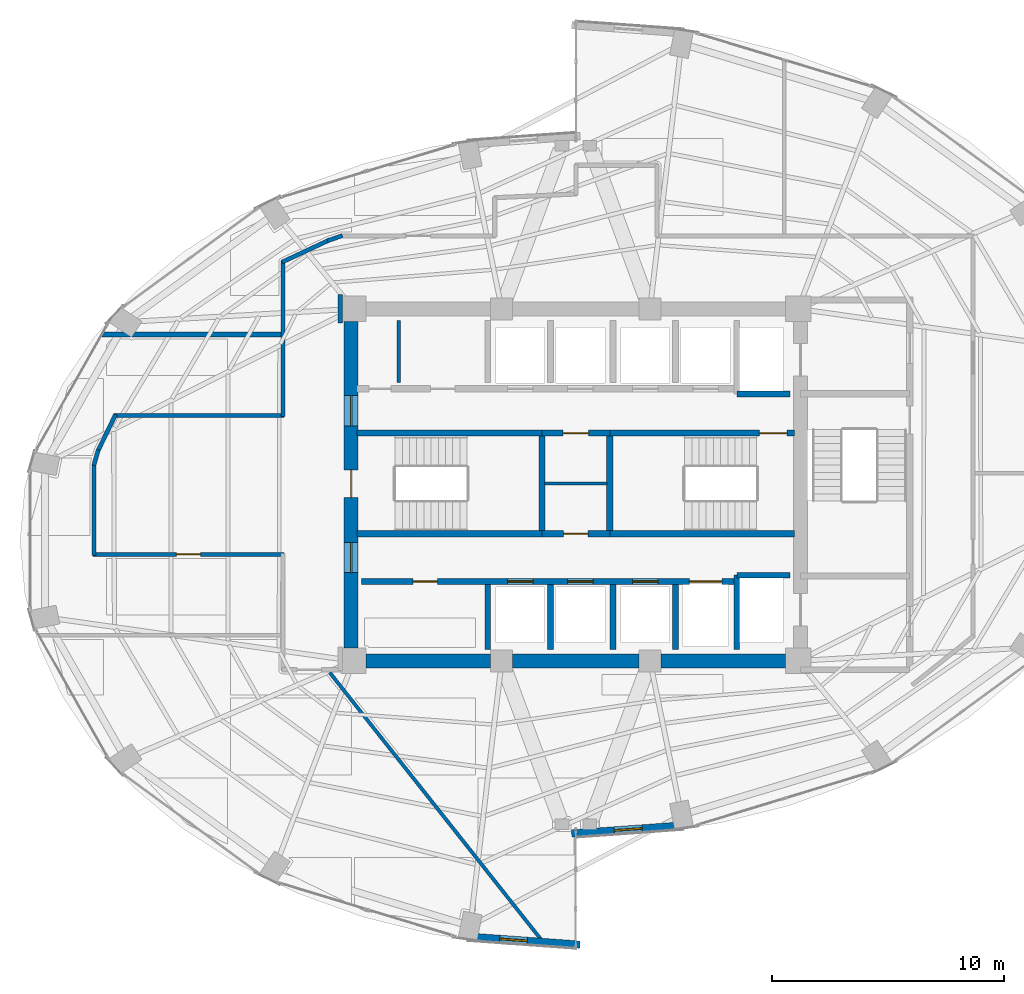
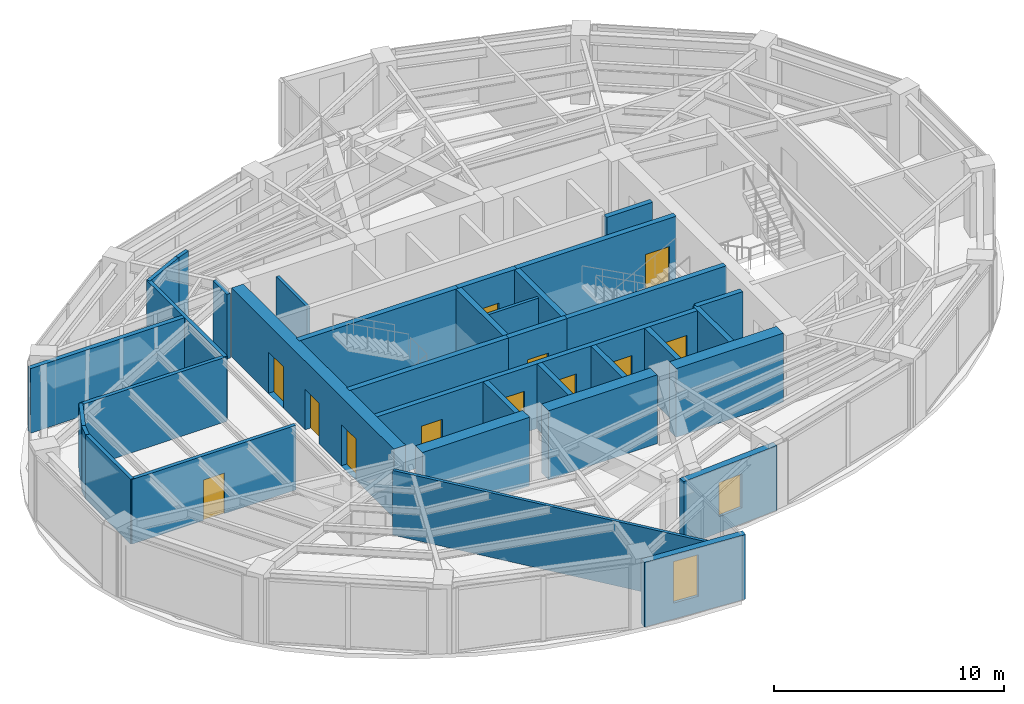
# One storey, part 16 of 20: 35 walls, 12 doors, 2 windows, 14 openings.
"""IFC4 building model written with IfcOpenShell, lengths in metres."""

from ifc_helpers import new_model, si_unit, direction, frame, frame_2d, origin, place, context, subcontext, project, spatial, rectangle, extrude, material, layer, layer_set, type_object, element, fill, save


model = new_model("IFC4")

# Units and contexts
model_context = context("Model", 3, precision=1e-05, world=origin(), true_north=direction((0.0, 1.0)))
body_context = subcontext(model_context, "Body", "Model", "MODEL_VIEW")
ifc_project = project(units=[si_unit("LENGTHUNIT", "METRE"), si_unit("AREAUNIT", "SQUARE_METRE"), si_unit("VOLUMEUNIT", "CUBIC_METRE"), si_unit("PLANEANGLEUNIT", "RADIAN"), si_unit("MASSUNIT", "GRAM", prefix="KILO")], contexts=[model_context])

# Site, building, storey
site_placement = place(None, origin())
site = spatial("IfcSite", under=ifc_project, at=site_placement, CompositionType="ELEMENT")
building_placement = place(site_placement, origin())
building = spatial("IfcBuilding", under=site, at=building_placement, Name="Lazwardi Medical Tower", CompositionType="ELEMENT")
storey_placement = place(building_placement, frame((0.0, 0.0, 152.8798828125)))
storey = spatial("IfcBuildingStorey", under=building, at=storey_placement, Name="L39", CompositionType="ELEMENT", Elevation=152.8798828125)

# Walls
ifc_material_1 = material(Name="Fire-rated gypsum board on steel stud", Category="steel")
ifc_layer_1 = layer(ifc_material_1, 0.179931640625)
ifc_layer_set_1 = layer_set([ifc_layer_1], Name="Fire-rated gypsum board on steel stud")
wall_type_1 = type_object("IfcWallType", Name="WL-COR-180", PredefinedType="PARTITIONING", material=ifc_layer_set_1)
wall_1_placement = place(storey_placement, frame((15.350341796875, 29.435791015625, 0.0), z_axis=(0.0, 0.0, 1.0), x_axis=(0.436196025907, 0.899851669434, 0.0)))
element("IfcWall", 1, at=wall_1_placement, inside=storey, type_object=wall_type_1, Name="L39 Corridor partition 1", PredefinedType="PARTITIONING", context=body_context, shape_type="SweptSolid", body=[
    extrude(rectangle(XDim=1.778076171875, YDim=0.179931640625, at=frame_2d((0.88916015625, 0.0))), origin(), (0.0, 0.0, 1.0), 3.42822265625),
])
wall_2_placement = place(storey_placement, frame((16.068359375, 31.0, 0.0), z_axis=(0.0, 0.0, 1.0), x_axis=(1.0, 0.0, 0.0)))
element("IfcWall", 2, at=wall_2_placement, inside=storey, type_object=wall_type_1, Name="L39 Corridor partition 2", PredefinedType="PARTITIONING", context=body_context, shape_type="SweptSolid", body=[
    extrude(rectangle(XDim=7.321533203125, YDim=0.179931640625, at=frame_2d((3.66064453125, 0.0))), origin(), (0.0, 0.0, 1.0), 3.42822265625),
])
wall_3_placement = place(storey_placement, frame((23.35009765625, 30.9599609375, 0.0), z_axis=(0.0, 0.0, 1.0), x_axis=(0.0, 1.0, 0.0)))
element("IfcWall", 3, at=wall_3_placement, inside=storey, type_object=wall_type_1, Name="L39 Corridor partition 3", PredefinedType="PARTITIONING", context=body_context, shape_type="SweptSolid", body=[
    extrude(rectangle(XDim=6.7138671875, YDim=0.179931640625, at=frame_2d((3.35693359375, 0.0))), origin(), (0.0, 0.0, 1.0), 3.42822265625),
])
wall_4_placement = place(storey_placement, frame((23.313720703125, 37.616943359375, 0.0), z_axis=(0.0, 0.0, 1.0), x_axis=(0.905731790856, 0.423851298255, 0.0)))
element("IfcWall", 4, at=wall_4_placement, inside=storey, type_object=wall_type_1, Name="L39 Corridor partition 4", PredefinedType="PARTITIONING", context=body_context, shape_type="SweptSolid", body=[
    extrude(rectangle(XDim=2.255126953125, YDim=0.179931640625, at=frame_2d((1.12744140625, 0.0))), origin(), (0.0, 0.0, 1.0), 3.42822265625),
])
wall_5_placement = place(storey_placement, frame((25.2822265625, 38.54248046875, 0.0), z_axis=(0.0, 0.0, 1.0), x_axis=(0.94508059942, 0.326837361085, 0.0)))
element("IfcWall", 5, at=wall_5_placement, inside=storey, type_object=wall_type_1, Name="L39 Corridor partition 5", PredefinedType="PARTITIONING", context=body_context, shape_type="SweptSolid", body=[
    extrude(rectangle(XDim=0.67529296875, YDim=0.179931640625, at=frame_2d((0.337646484375, 0.0))), origin(), (0.0, 0.0, 1.0), 3.42822265625),
])
wall_6_placement = place(storey_placement, frame((25.830078125, 36.2099609375, 0.0), z_axis=(0.0, 0.0, 1.0), x_axis=(0.0, -1.0, 0.0)))
element("IfcWall", 6, at=wall_6_placement, inside=storey, type_object=wall_type_1, Name="L39 Corridor partition 15", PredefinedType="PARTITIONING", context=body_context, shape_type="SweptSolid", body=[
    extrude(rectangle(XDim=1.219970703125, YDim=0.179931640625, at=frame_2d((0.60986328125, 0.0))), origin(), (0.0, 0.0, 1.0), 3.42822265625),
])

# Wall, opening, door
wall_7_placement = place(storey_placement, frame((23.389892578125, 25.0, 0.0), z_axis=(0.0, 0.0, 1.0), x_axis=(-1.0, 0.0, 0.0)))
wall_7 = element("IfcWall", 7, at=wall_7_placement, inside=storey, type_object=wall_type_1, Name="L39 Corridor partition 19", PredefinedType="PARTITIONING", context=body_context, shape_type="SweptSolid", body=[
    extrude(rectangle(XDim=8.22998046875, YDim=0.179931640625, at=frame_2d((4.114990234375, 0.0))), origin(), (0.0, 0.0, 1.0), 3.42822265625),
])
opening_1_placement = place(wall_7_placement, frame((3.590087890625, 0.0, 0.0)))
opening_1 = element("IfcOpeningElement", 8, at=opening_1_placement, cuts=wall_7, Name="Opening D-L39-010", PredefinedType="OPENING", context=body_context, shape_type="SweptSolid", body=[
    extrude(rectangle(XDim=1.050048828125, YDim=2.14990234375, at=frame_2d((0.52490234375, 1.074951171875))), frame((0.0, 0.099853515625, 0.0), z_axis=(0.0, -1.0, 0.0), x_axis=(1.0, 0.0, 0.0)), (0.0, 0.0, 1.0), 0.199951171875),
])
ifc_material_2 = material(Name="Anti-microbial laminate hospital leaf")
door_type_1 = type_object("IfcDoorType", Name="DR-CLN-1050", OperationType="NOTDEFINED", PredefinedType="DOOR", material=ifc_material_2)
door_1_placement = place(opening_1_placement, origin())
door_1 = element("IfcDoor", 9, at=door_1_placement, inside=storey, type_object=door_type_1, Name="L39 Outpatient Clinic Door 01", OperationType="SINGLE_SWING_LEFT", OverallHeight=2.14990234375, OverallWidth=1.050048828125, PredefinedType="DOOR", context=body_context, shape_type="SweptSolid", body=[
    extrude(rectangle(XDim=1.050048828125, YDim=2.14990234375, at=frame_2d((0.52490234375, 1.074951171875))), frame((0.0, 0.02490234375, 0.0), z_axis=(0.0, -1.0, 0.0), x_axis=(1.0, 0.0, 0.0)), (0.0, 0.0, 1.0), 0.050048828125),
])
fill(opening_1, door_1)

# Walls
wall_8_placement = place(storey_placement, frame((15.199951171875, 24.9599609375, 0.0), z_axis=(0.0, 0.0, 1.0), x_axis=(0.0, 1.0, 0.0)))
element("IfcWall", 10, at=wall_8_placement, inside=storey, type_object=wall_type_1, Name="L39 Corridor partition 20", PredefinedType="PARTITIONING", context=body_context, shape_type="SweptSolid", body=[
    extrude(rectangle(XDim=3.961181640625, YDim=0.179931640625, at=frame_2d((1.98046875, 0.0))), origin(), (0.0, 0.0, 1.0), 3.42822265625),
])
wall_9_placement = place(storey_placement, frame((15.189208984375, 28.842529296875, 0.0), z_axis=(0.0, 0.0, 1.0), x_axis=(0.272862960331, 0.962052911684, 0.0)))
element("IfcWall", 11, at=wall_9_placement, inside=storey, type_object=wall_type_1, Name="L39 Corridor partition 21", PredefinedType="PARTITIONING", context=body_context, shape_type="SweptSolid", body=[
    extrude(rectangle(XDim=0.6943359375, YDim=0.179931640625, at=frame_2d((0.34716796875, 0.0))), origin(), (0.0, 0.0, 1.0), 3.42822265625),
])

# Wall, openings, doors
ifc_material_3 = material(Name="Concrete C60/75", Category="concrete")
ifc_layer_2 = layer(ifc_material_3, 0.60009765625)
ifc_layer_set_2 = layer_set([ifc_layer_2], Name="Concrete C60/75")
wall_type_2 = type_object("IfcWallType", Name="WL-CORE-600", PredefinedType="SHEAR", material=ifc_layer_set_2)
wall_10_placement = place(storey_placement, frame((26.300048828125, 20.949951171875, 0.0), z_axis=(0.0, 0.0, 1.0), x_axis=(0.0, 1.0, 0.0)))
wall_10 = element("IfcWall", 12, at=wall_10_placement, inside=storey, type_object=wall_type_2, Name="Core wall CW-S3 west L39", PredefinedType="SHEAR", context=body_context, shape_type="SweptSolid", body=[
    extrude(rectangle(XDim=14.10009765625, YDim=0.60009765625, at=frame_2d((7.050048828125, 0.0))), origin(), (0.0, 0.0, 1.0), 3.648193359375),
])
opening_2_placement = place(wall_10_placement, frame((6.5, 0.0, 0.0)))
opening_2 = element("IfcOpeningElement", 13, at=opening_2_placement, cuts=wall_10, Name="Opening D-L39-015", PredefinedType="OPENING", context=body_context, shape_type="SweptSolid", body=[
    extrude(rectangle(XDim=1.199951171875, YDim=2.14990234375, at=frame_2d((0.60009765625, 1.074951171875))), frame((0.0, 0.31005859375, 0.0), z_axis=(0.0, -1.0, 0.0), x_axis=(1.0, 0.0, 0.0)), (0.0, 0.0, 1.0), 0.6201171875),
])
opening_3_placement = place(wall_10_placement, frame((9.60009765625, 0.0, 0.0)))
opening_3 = element("IfcOpeningElement", 14, at=opening_3_placement, cuts=wall_10, Name="Opening D-L39-008", PredefinedType="OPENING", context=body_context, shape_type="SweptSolid", body=[
    extrude(rectangle(XDim=1.300048828125, YDim=2.199951171875, at=frame_2d((0.64990234375, 1.10009765625))), frame((0.0, 0.31005859375, 0.0), z_axis=(0.0, -1.0, 0.0), x_axis=(1.0, 0.0, 0.0)), (0.0, 0.0, 1.0), 0.6201171875),
])
opening_4_placement = place(wall_10_placement, frame((3.260009765625, 0.0, 0.0)))
opening_4 = element("IfcOpeningElement", 15, at=opening_4_placement, cuts=wall_10, Name="Opening D-L39-009", PredefinedType="OPENING", context=body_context, shape_type="SweptSolid", body=[
    extrude(rectangle(XDim=1.300048828125, YDim=2.199951171875, at=frame_2d((0.64990234375, 1.10009765625))), frame((0.0, 0.31005859375, 0.0), z_axis=(0.0, -1.0, 0.0), x_axis=(1.0, 0.0, 0.0)), (0.0, 0.0, 1.0), 0.6201171875),
])
ifc_material_4 = material(Name="Fire-rated steel leaf and frame", Category="steel")
door_type_2 = type_object("IfcDoorType", Name="DR-FFL-1300", OperationType="NOTDEFINED", PredefinedType="DOOR", material=ifc_material_4)
door_2_placement = place(opening_3_placement, origin())
door_2 = element("IfcDoor", 16, at=door_2_placement, inside=storey, type_object=door_type_2, Name="L39 North Lift Lobby Door", OperationType="SINGLE_SWING_LEFT", OverallHeight=2.199951171875, OverallWidth=1.300048828125, PredefinedType="DOOR", context=body_context, shape_type="SweptSolid", body=[
    extrude(rectangle(XDim=1.300048828125, YDim=2.199951171875, at=frame_2d((0.64990234375, 1.10009765625))), frame((0.0, 0.02490234375, 0.0), z_axis=(0.0, -1.0, 0.0), x_axis=(1.0, 0.0, 0.0)), (0.0, 0.0, 1.0), 0.050048828125),
])
fill(opening_3, door_2)
door_3_placement = place(opening_4_placement, origin())
door_3 = element("IfcDoor", 17, at=door_3_placement, inside=storey, type_object=door_type_2, Name="L39 South Lift Lobby Door", OperationType="SINGLE_SWING_RIGHT", OverallHeight=2.199951171875, OverallWidth=1.300048828125, PredefinedType="DOOR", context=body_context, shape_type="SweptSolid", body=[
    extrude(rectangle(XDim=1.300048828125, YDim=2.199951171875, at=frame_2d((0.64990234375, 1.10009765625))), frame((0.0, 0.02490234375, 0.0), z_axis=(0.0, -1.0, 0.0), x_axis=(1.0, 0.0, 0.0)), (0.0, 0.0, 1.0), 0.050048828125),
])
fill(opening_4, door_3)
door_type_3 = type_object("IfcDoorType", Name="DR-STR-1200", OperationType="NOTDEFINED", PredefinedType="DOOR", material=ifc_material_4)
door_4_placement = place(opening_2_placement, origin())
door_4 = element("IfcDoor", 18, at=door_4_placement, inside=storey, type_object=door_type_3, Name="L39 Exit Stair ST1 Door", OperationType="SINGLE_SWING_LEFT", OverallHeight=2.14990234375, OverallWidth=1.199951171875, PredefinedType="DOOR", context=body_context, shape_type="SweptSolid", body=[
    extrude(rectangle(XDim=1.199951171875, YDim=2.14990234375, at=frame_2d((0.60009765625, 1.074951171875))), frame((0.0, 0.02490234375, 0.0), z_axis=(0.0, -1.0, 0.0), x_axis=(1.0, 0.0, 0.0)), (0.0, 0.0, 1.0), 0.050048828125),
])
fill(opening_2, door_4)

# Walls
wall_11_placement = place(storey_placement, frame((26.949951171875, 20.39990234375, 0.0), z_axis=(0.0, 0.0, 1.0), x_axis=(1.0, 0.0, 0.0)))
element("IfcWall", 19, at=wall_11_placement, inside=storey, type_object=wall_type_2, Name="Core wall CW-S3 S1 L39", PredefinedType="SHEAR", context=body_context, shape_type="SweptSolid", body=[
    extrude(rectangle(XDim=5.375, YDim=0.60009765625, at=frame_2d((2.6875, 0.0))), origin(), (0.0, 0.0, 1.0), 3.648193359375),
])
wall_12_placement = place(storey_placement, frame((33.27490234375, 20.39990234375, 0.0), z_axis=(0.0, 0.0, 1.0), x_axis=(1.0, 0.0, 0.0)))
element("IfcWall", 20, at=wall_12_placement, inside=storey, type_object=wall_type_2, Name="Core wall CW-S3 S2 L39", PredefinedType="SHEAR", context=body_context, shape_type="SweptSolid", body=[
    extrude(rectangle(XDim=5.4501953125, YDim=0.60009765625, at=frame_2d((2.72509765625, 0.0))), origin(), (0.0, 0.0, 1.0), 3.648193359375),
])
wall_13_placement = place(storey_placement, frame((39.675048828125, 20.39990234375, 0.0), z_axis=(0.0, 0.0, 1.0), x_axis=(1.0, 0.0, 0.0)))
element("IfcWall", 21, at=wall_13_placement, inside=storey, type_object=wall_type_2, Name="Core wall CW-S3 S3 L39", PredefinedType="SHEAR", context=body_context, shape_type="SweptSolid", body=[
    extrude(rectangle(XDim=5.375, YDim=0.60009765625, at=frame_2d((2.6875, 0.0))), origin(), (0.0, 0.0, 1.0), 3.648193359375),
])

# Wall, opening, window
ifc_material_5 = material(Name="Precast concrete C45/55", Category="concrete")
ifc_layer_3 = layer(ifc_material_5, 0.320068359375)
ifc_layer_set_3 = layer_set([ifc_layer_3], Name="Precast concrete C45/55")
wall_type_3 = type_object("IfcWallType", Name="WL-IWAN-320", PredefinedType="SOLIDWALL", material=ifc_layer_set_3)
wall_14_placement = place(storey_placement, frame((35.820556640625, 12.947021484375, 0.0), z_axis=(0.0, 0.0, 1.0), x_axis=(0.997415460462, 0.071849838072, 0.0)))
wall_14 = element("IfcWall", 22, at=wall_14_placement, inside=storey, type_object=wall_type_3, Name="L39 Iwan Portal Return Wall SE_ret", PredefinedType="SOLIDWALL", context=body_context, shape_type="SweptSolid", body=[
    extrude(rectangle(XDim=4.89306640625, YDim=0.320068359375, at=frame_2d((2.446533203125, 0.0))), origin(), (0.0, 0.0, 1.0), 3.42822265625),
])
opening_5_placement = place(wall_14_placement, frame((1.846435546875, 0.0, 0.85009765625)))
opening_5 = element("IfcOpeningElement", 23, at=opening_5_placement, cuts=wall_14, Name="Opening WN-04", PredefinedType="OPENING", context=body_context, shape_type="SweptSolid", body=[
    extrude(rectangle(XDim=1.199951171875, YDim=1.800048828125, at=frame_2d((0.60009765625, 0.89990234375))), frame((0.0, 0.169921875, 0.0), z_axis=(0.0, -1.0, 0.0), x_axis=(1.0, 0.0, 0.0)), (0.0, 0.0, 1.0), 0.340087890625),
])
ifc_material_6 = material(Name="Low-e bronze solar control double glazing", Category="glass")
window_type_1 = type_object("IfcWindowType", Name="WIN-DRUM-1200", PartitioningType="SINGLE_PANEL", PredefinedType="WINDOW", material=ifc_material_6)
window_1_placement = place(opening_5_placement, origin())
window_1 = element("IfcWindow", 24, at=window_1_placement, inside=storey, type_object=window_type_1, Name="L39 Iwan Slot Window SE_ret", OverallHeight=1.800048828125, OverallWidth=1.199951171875, PartitioningType="SINGLE_PANEL", PredefinedType="WINDOW", context=body_context, shape_type="SweptSolid", body=[
    extrude(rectangle(XDim=1.199951171875, YDim=1.800048828125, at=frame_2d((0.60009765625, 0.89990234375))), frame((0.0, 0.030029296875, 0.0), z_axis=(0.0, -1.0, 0.0), x_axis=(1.0, 0.0, 0.0)), (0.0, 0.0, 1.0), 0.06005859375),
])
fill(opening_5, window_1)

wall_15_placement = place(storey_placement, frame((31.299072265625, 8.498779296875, 0.0), z_axis=(0.0, 0.0, 1.0), x_axis=(0.997415202861, -0.071853413984, 0.0)))
wall_15 = element("IfcWall", 25, at=wall_15_placement, inside=storey, type_object=wall_type_3, Name="L39 Iwan Portal Return Wall SW_ret", PredefinedType="SOLIDWALL", context=body_context, shape_type="SweptSolid", body=[
    extrude(rectangle(XDim=4.892822265625, YDim=0.320068359375, at=frame_2d((2.4462890625, 0.0))), origin(), (0.0, 0.0, 1.0), 3.42822265625),
])
opening_6_placement = place(wall_15_placement, frame((1.4150390625, 0.0, 0.85009765625)))
opening_6 = element("IfcOpeningElement", 26, at=opening_6_placement, cuts=wall_15, Name="Opening WN-01", PredefinedType="OPENING", context=body_context, shape_type="SweptSolid", body=[
    extrude(rectangle(XDim=1.199951171875, YDim=2.199951171875, at=frame_2d((0.60009765625, 1.10009765625))), frame((0.0, 0.169921875, 0.0), z_axis=(0.0, -1.0, 0.0), x_axis=(1.0, 0.0, 0.0)), (0.0, 0.0, 1.0), 0.340087890625),
])
window_type_2 = type_object("IfcWindowType", Name="WIN-IW-1200", PartitioningType="SINGLE_PANEL", PredefinedType="WINDOW", material=ifc_material_6)
window_2_placement = place(opening_6_placement, origin())
window_2 = element("IfcWindow", 27, at=window_2_placement, inside=storey, type_object=window_type_2, Name="L39 Iwan Slot Window SW_ret", OverallHeight=2.199951171875, OverallWidth=1.199951171875, PartitioningType="SINGLE_PANEL", PredefinedType="WINDOW", context=body_context, shape_type="SweptSolid", body=[
    extrude(rectangle(XDim=1.199951171875, YDim=2.199951171875, at=frame_2d((0.60009765625, 1.10009765625))), frame((0.0, 0.030029296875, 0.0), z_axis=(0.0, -1.0, 0.0), x_axis=(1.0, 0.0, 0.0)), (0.0, 0.0, 1.0), 0.06005859375),
])
fill(opening_6, window_2)

# Wall, openings, doors
ifc_material_7 = material(Name="Autoclaved aerated concrete blockwork", Category="masonry")
ifc_layer_4 = layer(ifc_material_7, 0.25)
ifc_layer_set_4 = layer_set([ifc_layer_4], Name="Autoclaved aerated concrete blockwork")
wall_type_4 = type_object("IfcWallType", Name="WL-SHAFT-250", PredefinedType="SOLIDWALL", material=ifc_layer_set_4)
wall_16_placement = place(storey_placement, frame((26.75, 23.830078125, 0.0), z_axis=(0.0, 0.0, 1.0), x_axis=(1.0, 0.0, 0.0)))
wall_16 = element("IfcWall", 28, at=wall_16_placement, inside=storey, type_object=wall_type_4, Name="L39 South lift bank front wall", PredefinedType="SOLIDWALL", context=body_context, shape_type="SweptSolid", body=[
    extrude(rectangle(XDim=16.199951171875, YDim=0.25, at=frame_2d((8.10009765625, 0.0))), origin(), (0.0, 0.0, 1.0), 3.42822265625),
])
opening_7_placement = place(wall_16_placement, frame((2.22509765625, 0.0, 0.0)))
opening_7 = element("IfcOpeningElement", 29, at=opening_7_placement, cuts=wall_16, Name="Opening D-L39-005", PredefinedType="OPENING", context=body_context, shape_type="SweptSolid", body=[
    extrude(rectangle(XDim=1.050048828125, YDim=2.14990234375, at=frame_2d((0.52490234375, 1.074951171875))), frame((0.0, 0.135009765625, 0.0), z_axis=(0.0, -1.0, 0.0), x_axis=(1.0, 0.0, 0.0)), (0.0, 0.0, 1.0), 0.27001953125),
])
opening_8_placement = place(wall_16_placement, frame((6.300048828125, 0.0, 0.0)))
opening_8 = element("IfcOpeningElement", 30, at=opening_8_placement, cuts=wall_16, Name="Opening LD-L39-006", PredefinedType="OPENING", context=body_context, shape_type="SweptSolid", body=[
    extrude(rectangle(XDim=1.10009765625, YDim=2.199951171875, at=frame_2d((0.550048828125, 1.10009765625))), frame((0.0, 0.135009765625, 0.0), z_axis=(0.0, -1.0, 0.0), x_axis=(1.0, 0.0, 0.0)), (0.0, 0.0, 1.0), 0.27001953125),
])
opening_9_placement = place(wall_16_placement, frame((8.89990234375, 0.0, 0.0)))
opening_9 = element("IfcOpeningElement", 31, at=opening_9_placement, cuts=wall_16, Name="Opening LD-L39-007", PredefinedType="OPENING", context=body_context, shape_type="SweptSolid", body=[
    extrude(rectangle(XDim=1.10009765625, YDim=2.199951171875, at=frame_2d((0.550048828125, 1.10009765625))), frame((0.0, 0.135009765625, 0.0), z_axis=(0.0, -1.0, 0.0), x_axis=(1.0, 0.0, 0.0)), (0.0, 0.0, 1.0), 0.27001953125),
])
opening_10_placement = place(wall_16_placement, frame((11.699951171875, 0.0, 0.0)))
opening_10 = element("IfcOpeningElement", 32, at=opening_10_placement, cuts=wall_16, Name="Opening LD-L39-010", PredefinedType="OPENING", context=body_context, shape_type="SweptSolid", body=[
    extrude(rectangle(XDim=1.10009765625, YDim=2.199951171875, at=frame_2d((0.550048828125, 1.10009765625))), frame((0.0, 0.135009765625, 0.0), z_axis=(0.0, -1.0, 0.0), x_axis=(1.0, 0.0, 0.0)), (0.0, 0.0, 1.0), 0.27001953125),
])
opening_11_placement = place(wall_16_placement, frame((14.14990234375, 0.0, 0.0)))
opening_11 = element("IfcOpeningElement", 33, at=opening_11_placement, cuts=wall_16, Name="Opening LD-L39-003", PredefinedType="OPENING", context=body_context, shape_type="SweptSolid", body=[
    extrude(rectangle(XDim=1.39990234375, YDim=2.300048828125, at=frame_2d((0.699951171875, 1.14990234375))), frame((0.0, 0.135009765625, 0.0), z_axis=(0.0, -1.0, 0.0), x_axis=(1.0, 0.0, 0.0)), (0.0, 0.0, 1.0), 0.27001953125),
])
door_5_placement = place(opening_7_placement, origin())
door_5 = element("IfcDoor", 34, at=door_5_placement, inside=storey, type_object=door_type_1, Name="L39 Medication Door", OperationType="SINGLE_SWING_LEFT", OverallHeight=2.14990234375, OverallWidth=1.050048828125, PredefinedType="DOOR", context=body_context, shape_type="SweptSolid", body=[
    extrude(rectangle(XDim=1.050048828125, YDim=2.14990234375, at=frame_2d((0.52490234375, 1.074951171875))), frame((0.0, 0.02490234375, 0.0), z_axis=(0.0, -1.0, 0.0), x_axis=(1.0, 0.0, 0.0)), (0.0, 0.0, 1.0), 0.050048828125),
])
fill(opening_7, door_5)
ifc_material_8 = material(Name="Brushed bronze stainless steel landing door", Category="steel")
door_type_4 = type_object("IfcDoorType", Name="DR-LFT-1100", OperationType="NOTDEFINED", PredefinedType="DOOR", material=ifc_material_8)
door_6_placement = place(opening_8_placement, origin())
door_6 = element("IfcDoor", 35, at=door_6_placement, inside=storey, type_object=door_type_4, Name="L39 Lift Landing Door PL-07", OperationType="SLIDING_TO_LEFT", OverallHeight=2.199951171875, OverallWidth=1.10009765625, PredefinedType="DOOR", context=body_context, shape_type="SweptSolid", body=[
    extrude(rectangle(XDim=1.10009765625, YDim=2.199951171875, at=frame_2d((0.550048828125, 1.10009765625))), frame((0.0, 0.02490234375, 0.0), z_axis=(0.0, -1.0, 0.0), x_axis=(1.0, 0.0, 0.0)), (0.0, 0.0, 1.0), 0.050048828125),
])
fill(opening_8, door_6)
door_7_placement = place(opening_9_placement, origin())
door_7 = element("IfcDoor", 36, at=door_7_placement, inside=storey, type_object=door_type_4, Name="L39 Lift Landing Door PL-08", OperationType="SLIDING_TO_LEFT", OverallHeight=2.199951171875, OverallWidth=1.10009765625, PredefinedType="DOOR", context=body_context, shape_type="SweptSolid", body=[
    extrude(rectangle(XDim=1.10009765625, YDim=2.199951171875, at=frame_2d((0.550048828125, 1.10009765625))), frame((0.0, 0.02490234375, 0.0), z_axis=(0.0, -1.0, 0.0), x_axis=(1.0, 0.0, 0.0)), (0.0, 0.0, 1.0), 0.050048828125),
])
fill(opening_9, door_7)
door_8_placement = place(opening_10_placement, origin())
door_8 = element("IfcDoor", 37, at=door_8_placement, inside=storey, type_object=door_type_4, Name="L39 Lift Landing Door PL-11", OperationType="SLIDING_TO_LEFT", OverallHeight=2.199951171875, OverallWidth=1.10009765625, PredefinedType="DOOR", context=body_context, shape_type="SweptSolid", body=[
    extrude(rectangle(XDim=1.10009765625, YDim=2.199951171875, at=frame_2d((0.550048828125, 1.10009765625))), frame((0.0, 0.02490234375, 0.0), z_axis=(0.0, -1.0, 0.0), x_axis=(1.0, 0.0, 0.0)), (0.0, 0.0, 1.0), 0.050048828125),
])
fill(opening_10, door_8)
ifc_material_9 = material(Name="Brushed stainless steel bed-lift landing door", Category="steel")
door_type_5 = type_object("IfcDoorType", Name="DR-LFT-1400", OperationType="NOTDEFINED", PredefinedType="DOOR", material=ifc_material_9)
door_9_placement = place(opening_11_placement, origin())
door_9 = element("IfcDoor", 38, at=door_9_placement, inside=storey, type_object=door_type_5, Name="L39 Lift Landing Door FL-03", OperationType="SLIDING_TO_LEFT", OverallHeight=2.300048828125, OverallWidth=1.39990234375, PredefinedType="DOOR", context=body_context, shape_type="SweptSolid", body=[
    extrude(rectangle(XDim=1.39990234375, YDim=2.300048828125, at=frame_2d((0.699951171875, 1.14990234375))), frame((0.0, 0.02490234375, 0.0), z_axis=(0.0, -1.0, 0.0), x_axis=(1.0, 0.0, 0.0)), (0.0, 0.0, 1.0), 0.050048828125),
])
fill(opening_11, door_9)

# Walls
wall_17_placement = place(storey_placement, frame((42.949951171875, 31.919921875, 0.0), z_axis=(0.0, 0.0, 1.0), x_axis=(1.0, 0.0, 0.0)))
element("IfcWall", 39, at=wall_17_placement, inside=storey, type_object=wall_type_4, Name="L39 FL-01 South shaft wall", PredefinedType="SOLIDWALL", context=body_context, shape_type="SweptSolid", body=[
    extrude(rectangle(XDim=2.300048828125, YDim=0.25, at=frame_2d((1.14990234375, 0.0))), origin(), (0.0, 0.0, 1.0), 3.42822265625),
])
wall_18_placement = place(storey_placement, frame((42.949951171875, 20.89990234375, 0.0), z_axis=(0.0, 0.0, 1.0), x_axis=(0.0, 1.0, 0.0)))
element("IfcWall", 40, at=wall_18_placement, inside=storey, type_object=wall_type_4, Name="L39 FL-02 West shaft wall", PredefinedType="SOLIDWALL", context=body_context, shape_type="SweptSolid", body=[
    extrude(rectangle(XDim=3.2001953125, YDim=0.25, at=frame_2d((1.60009765625, 0.0))), origin(), (0.0, 0.0, 1.0), 3.42822265625),
])
wall_19_placement = place(storey_placement, frame((42.949951171875, 24.10009765625, 0.0), z_axis=(0.0, 0.0, 1.0), x_axis=(1.0, 0.0, 0.0)))
element("IfcWall", 41, at=wall_19_placement, inside=storey, type_object=wall_type_4, Name="L39 FL-02 North shaft wall", PredefinedType="SOLIDWALL", context=body_context, shape_type="SweptSolid", body=[
    extrude(rectangle(XDim=2.300048828125, YDim=0.25, at=frame_2d((1.14990234375, 0.0))), origin(), (0.0, 0.0, 1.0), 3.42822265625),
])
for number, where, z_axis, x_axis, name in (
    (42, (32.199951171875, 20.89990234375, 0.0), (0.0, 0.0, 1.0), (0.0, 1.0, 0.0), "L39 South hoistway divider"),
    (43, (34.89990234375, 20.89990234375, 0.0), (0.0, 0.0, 1.0), (0.0, 1.0, 0.0), "L39 South hoistway divider"),
    (44, (37.60009765625, 20.89990234375, 0.0), (0.0, 0.0, 1.0), (0.0, 1.0, 0.0), "L39 South hoistway divider"),
    (45, (40.300048828125, 20.89990234375, 0.0), (0.0, 0.0, 1.0), (0.0, 1.0, 0.0), "L39 South hoistway divider"),
):
    element("IfcWall", number, at=place(storey_placement, frame(where, z_axis=z_axis, x_axis=x_axis)), inside=storey, type_object=wall_type_4, Name=name, PredefinedType="SOLIDWALL", context=body_context, shape_type="SweptSolid", body=[
        extrude(rectangle(XDim=2.800048828125, YDim=0.25, at=frame_2d((1.39990234375, 0.0))), origin(), (0.0, 0.0, 1.0), 3.42822265625),
    ])
ifc_layer_5 = layer(ifc_material_1, 0.219970703125)
ifc_layer_set_5 = layer_set([ifc_layer_5], Name="Fire-rated gypsum board on steel stud")
wall_type_5 = type_object("IfcWallType", Name="WL-SMK-220", PredefinedType="PARTITIONING", material=ifc_layer_set_5)
wall_20_placement = place(storey_placement, frame((15.5439453125, 34.5, 0.0), z_axis=(0.0, 0.0, 1.0), x_axis=(1.0, 0.0, 0.0)))
element("IfcWall", 46, at=wall_20_placement, inside=storey, type_object=wall_type_5, Name="L39 Room partition 2", PredefinedType="PARTITIONING", context=body_context, shape_type="SweptSolid", body=[
    extrude(rectangle(XDim=7.716064453125, YDim=0.219970703125, at=frame_2d((3.85791015625, 0.0))), origin(), (0.0, 0.0, 1.0), 3.42822265625),
])
ifc_material_10 = material(Name="Concrete C50/60", Category="concrete")
ifc_layer_6 = layer(ifc_material_10, 0.27001953125)
ifc_layer_set_6 = layer_set([ifc_layer_6], Name="Concrete C50/60")
wall_type_6 = type_object("IfcWallType", Name="WL-STR-250", PredefinedType="SHEAR", material=ifc_layer_set_6)
wall_21_placement = place(storey_placement, frame((26.550048828125, 30.235107421875, 0.0), z_axis=(0.0, 0.0, 1.0), x_axis=(1.0, 0.0, 0.0)))
element("IfcWall", 47, at=wall_21_placement, inside=storey, type_object=wall_type_6, Name="L39 ST1 North shear shaft wall SW-S1", PredefinedType="SHEAR", context=body_context, shape_type="SweptSolid", body=[
    extrude(rectangle(XDim=7.98486328125, YDim=0.27001953125, at=frame_2d((3.992431640625, 0.0))), origin(), (0.0, 0.0, 1.0), 3.648193359375),
])

# Wall, opening, door
wall_22_placement = place(storey_placement, frame((34.534912109375, 30.235107421875, 0.0), z_axis=(0.0, 0.0, 1.0), x_axis=(1.0, 0.0, 0.0)))
wall_22 = element("IfcWall", 48, at=wall_22_placement, inside=storey, type_object=wall_type_6, Name="L39 Core service North shear wall SW-S1", PredefinedType="SHEAR", context=body_context, shape_type="SweptSolid", body=[
    extrude(rectangle(XDim=2.93017578125, YDim=0.27001953125, at=frame_2d((1.465087890625, 0.0))), origin(), (0.0, 0.0, 1.0), 3.648193359375),
])
opening_12_placement = place(wall_22_placement, frame((0.9150390625, 0.0, 0.0)))
opening_12 = element("IfcOpeningElement", 49, at=opening_12_placement, cuts=wall_22, Name="Opening D-L39-002", PredefinedType="OPENING", context=body_context, shape_type="SweptSolid", body=[
    extrude(rectangle(XDim=1.10009765625, YDim=2.14990234375, at=frame_2d((0.550048828125, 1.074951171875))), frame((0.0, 0.14501953125, 0.0), z_axis=(0.0, -1.0, 0.0), x_axis=(1.0, 0.0, 0.0)), (0.0, 0.0, 1.0), 0.2900390625),
])
door_type_6 = type_object("IfcDoorType", Name="DR-PLT-1100", OperationType="NOTDEFINED", PredefinedType="DOOR", material=ifc_material_4)
door_10_placement = place(opening_12_placement, origin())
door_10 = element("IfcDoor", 50, at=door_10_placement, inside=storey, type_object=door_type_6, Name="L39 Electrical Room Door", OperationType="SINGLE_SWING_RIGHT", OverallHeight=2.14990234375, OverallWidth=1.10009765625, PredefinedType="DOOR", context=body_context, shape_type="SweptSolid", body=[
    extrude(rectangle(XDim=1.10009765625, YDim=2.14990234375, at=frame_2d((0.550048828125, 1.074951171875))), frame((0.0, 0.02490234375, 0.0), z_axis=(0.0, -1.0, 0.0), x_axis=(1.0, 0.0, 0.0)), (0.0, 0.0, 1.0), 0.050048828125),
])
fill(opening_12, door_10)

wall_23_placement = place(storey_placement, frame((37.465087890625, 30.235107421875, 0.0), z_axis=(0.0, 0.0, 1.0), x_axis=(1.0, 0.0, 0.0)))
wall_23 = element("IfcWall", 51, at=wall_23_placement, inside=storey, type_object=wall_type_6, Name="L39 ST2 North shear shaft wall SW-S1", PredefinedType="SHEAR", context=body_context, shape_type="SweptSolid", body=[
    extrude(rectangle(XDim=7.98486328125, YDim=0.27001953125, at=frame_2d((3.992431640625, 0.0))), origin(), (0.0, 0.0, 1.0), 3.648193359375),
])
opening_13_placement = place(wall_23_placement, frame((6.455078125, 0.0, 0.0)))
opening_13 = element("IfcOpeningElement", 52, at=opening_13_placement, cuts=wall_23, Name="Opening D-L39-016", PredefinedType="OPENING", context=body_context, shape_type="SweptSolid", body=[
    extrude(rectangle(XDim=1.199951171875, YDim=2.14990234375, at=frame_2d((0.60009765625, 1.074951171875))), frame((0.0, 0.14501953125, 0.0), z_axis=(0.0, -1.0, 0.0), x_axis=(1.0, 0.0, 0.0)), (0.0, 0.0, 1.0), 0.2900390625),
])
door_11_placement = place(opening_13_placement, origin())
door_11 = element("IfcDoor", 53, at=door_11_placement, inside=storey, type_object=door_type_3, Name="L39 Exit Stair ST2 Door", OperationType="SINGLE_SWING_RIGHT", OverallHeight=2.14990234375, OverallWidth=1.199951171875, PredefinedType="DOOR", context=body_context, shape_type="SweptSolid", body=[
    extrude(rectangle(XDim=1.199951171875, YDim=2.14990234375, at=frame_2d((0.60009765625, 1.074951171875))), frame((0.0, 0.02490234375, 0.0), z_axis=(0.0, -1.0, 0.0), x_axis=(1.0, 0.0, 0.0)), (0.0, 0.0, 1.0), 0.050048828125),
])
fill(opening_13, door_11)

# Wall
wall_24_placement = place(storey_placement, frame((26.550048828125, 25.885009765625, 0.0), z_axis=(0.0, 0.0, 1.0), x_axis=(1.0, 0.0, 0.0)))
element("IfcWall", 54, at=wall_24_placement, inside=storey, type_object=wall_type_6, Name="L39 ST1 South shear shaft wall SW-S1", PredefinedType="SHEAR", context=body_context, shape_type="SweptSolid", body=[
    extrude(rectangle(XDim=7.98486328125, YDim=0.27001953125, at=frame_2d((3.992431640625, 0.0))), origin(), (0.0, 0.0, 1.0), 3.648193359375),
])

# Wall, opening, door
wall_25_placement = place(storey_placement, frame((34.534912109375, 25.885009765625, 0.0), z_axis=(0.0, 0.0, 1.0), x_axis=(1.0, 0.0, 0.0)))
wall_25 = element("IfcWall", 55, at=wall_25_placement, inside=storey, type_object=wall_type_6, Name="L39 Core service South shear wall SW-S1", PredefinedType="SHEAR", context=body_context, shape_type="SweptSolid", body=[
    extrude(rectangle(XDim=2.93017578125, YDim=0.27001953125, at=frame_2d((1.465087890625, 0.0))), origin(), (0.0, 0.0, 1.0), 3.648193359375),
])
opening_14_placement = place(wall_25_placement, frame((0.93994140625, 0.0, 0.0)))
opening_14 = element("IfcOpeningElement", 56, at=opening_14_placement, cuts=wall_25, Name="Opening D-L39-001", PredefinedType="OPENING", context=body_context, shape_type="SweptSolid", body=[
    extrude(rectangle(XDim=1.050048828125, YDim=2.14990234375, at=frame_2d((0.52490234375, 1.074951171875))), frame((0.0, 0.14501953125, 0.0), z_axis=(0.0, -1.0, 0.0), x_axis=(1.0, 0.0, 0.0)), (0.0, 0.0, 1.0), 0.2900390625),
])
door_12_placement = place(opening_14_placement, origin())
door_12 = element("IfcDoor", 57, at=door_12_placement, inside=storey, type_object=door_type_1, Name="L39 Dirty Sluice Door", OperationType="SINGLE_SWING_LEFT", OverallHeight=2.14990234375, OverallWidth=1.050048828125, PredefinedType="DOOR", context=body_context, shape_type="SweptSolid", body=[
    extrude(rectangle(XDim=1.050048828125, YDim=2.14990234375, at=frame_2d((0.52490234375, 1.074951171875))), frame((0.0, 0.02490234375, 0.0), z_axis=(0.0, -1.0, 0.0), x_axis=(1.0, 0.0, 0.0)), (0.0, 0.0, 1.0), 0.050048828125),
])
fill(opening_14, door_12)

# Walls
wall_26_placement = place(storey_placement, frame((37.465087890625, 25.885009765625, 0.0), z_axis=(0.0, 0.0, 1.0), x_axis=(1.0, 0.0, 0.0)))
element("IfcWall", 58, at=wall_26_placement, inside=storey, type_object=wall_type_6, Name="L39 ST2 South shear shaft wall SW-S1", PredefinedType="SHEAR", context=body_context, shape_type="SweptSolid", body=[
    extrude(rectangle(XDim=7.98486328125, YDim=0.27001953125, at=frame_2d((3.992431640625, 0.0))), origin(), (0.0, 0.0, 1.0), 3.648193359375),
])
for number, where, z_axis, x_axis, name in (
    (59, (34.534912109375, 26.02001953125, 0.0), (0.0, 0.0, 1.0), (0.0, 1.0, 0.0), "L39 ST1 East shear shaft wall SW-S1"),
    (60, (37.465087890625, 26.02001953125, 0.0), (0.0, 0.0, 1.0), (0.0, 1.0, 0.0), "L39 ST2 West shear shaft wall SW-S1"),
):
    element("IfcWall", number, at=place(storey_placement, frame(where, z_axis=z_axis, x_axis=x_axis)), inside=storey, type_object=wall_type_6, Name=name, PredefinedType="SHEAR", context=body_context, shape_type="SweptSolid", body=[
        extrude(rectangle(XDim=4.080078125, YDim=0.27001953125, at=frame_2d((2.0400390625, 0.0))), origin(), (0.0, 0.0, 1.0), 3.648193359375),
    ])
ifc_material_11 = material(Name="Acoustic gypsum board partition")
ifc_layer_7 = layer(ifc_material_11, 0.14990234375)
ifc_layer_set_7 = layer_set([ifc_layer_7], Name="Acoustic gypsum board partition")
wall_type_7 = type_object("IfcWallType", Name="WL-WRD-150", PredefinedType="PARTITIONING", material=ifc_layer_set_7)
wall_27_placement = place(storey_placement, frame((34.64990234375, 28.06005859375, 0.0), z_axis=(0.0, 0.0, 1.0), x_axis=(1.0, 0.0, 0.0)))
element("IfcWall", 61, at=wall_27_placement, inside=storey, type_object=wall_type_7, Name="L39 Core service divider", PredefinedType="PARTITIONING", context=body_context, shape_type="SweptSolid", body=[
    extrude(rectangle(XDim=2.7001953125, YDim=0.14990234375, at=frame_2d((1.35009765625, 0.0))), origin(), (0.0, 0.0, 1.0), 3.42822265625),
])
wall_28_placement = place(storey_placement, frame((28.35009765625, 32.419921875, 0.0), z_axis=(0.0, 0.0, 1.0), x_axis=(0.0, 1.0, 0.0)))
element("IfcWall", 62, at=wall_28_placement, inside=storey, type_object=wall_type_7, Name="L39 Freed bay N split", PredefinedType="PARTITIONING", context=body_context, shape_type="SweptSolid", body=[
    extrude(rectangle(XDim=2.68017578125, YDim=0.14990234375, at=frame_2d((1.340087890625, 0.0))), origin(), (0.0, 0.0, 1.0), 3.42822265625),
])
wall_29_placement = place(storey_placement, frame((25.3720703125, 19.8984375, 0.0), z_axis=(0.0, 0.0, 1.0), x_axis=(0.620699148788, -0.784048829279, 0.0)))
element("IfcWall", 63, at=wall_29_placement, inside=storey, type_object=wall_type_7, Name="L39 Room partition 5", PredefinedType="PARTITIONING", context=body_context, shape_type="SweptSolid", body=[
    extrude(rectangle(XDim=14.827880859375, YDim=0.14990234375, at=frame_2d((7.4140625, 0.0))), origin(), (0.0, 0.0, 1.0), 3.42822265625),
])

save(model, "model.ifc")
